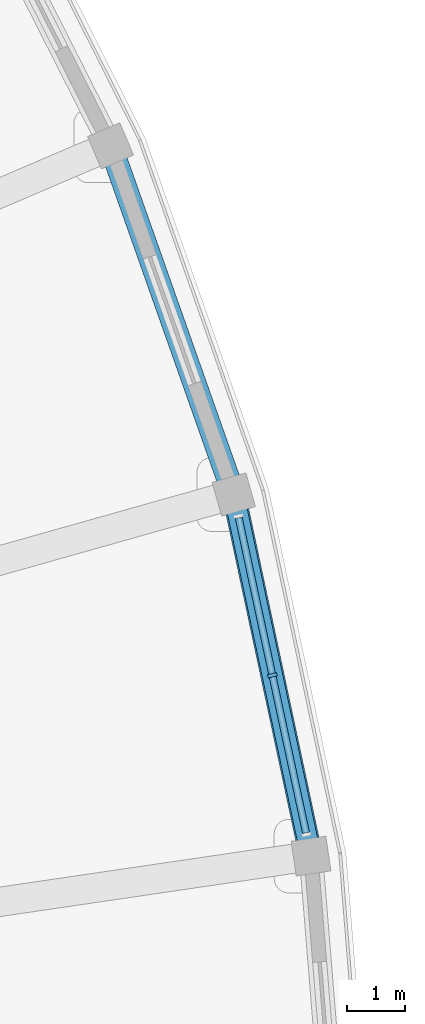
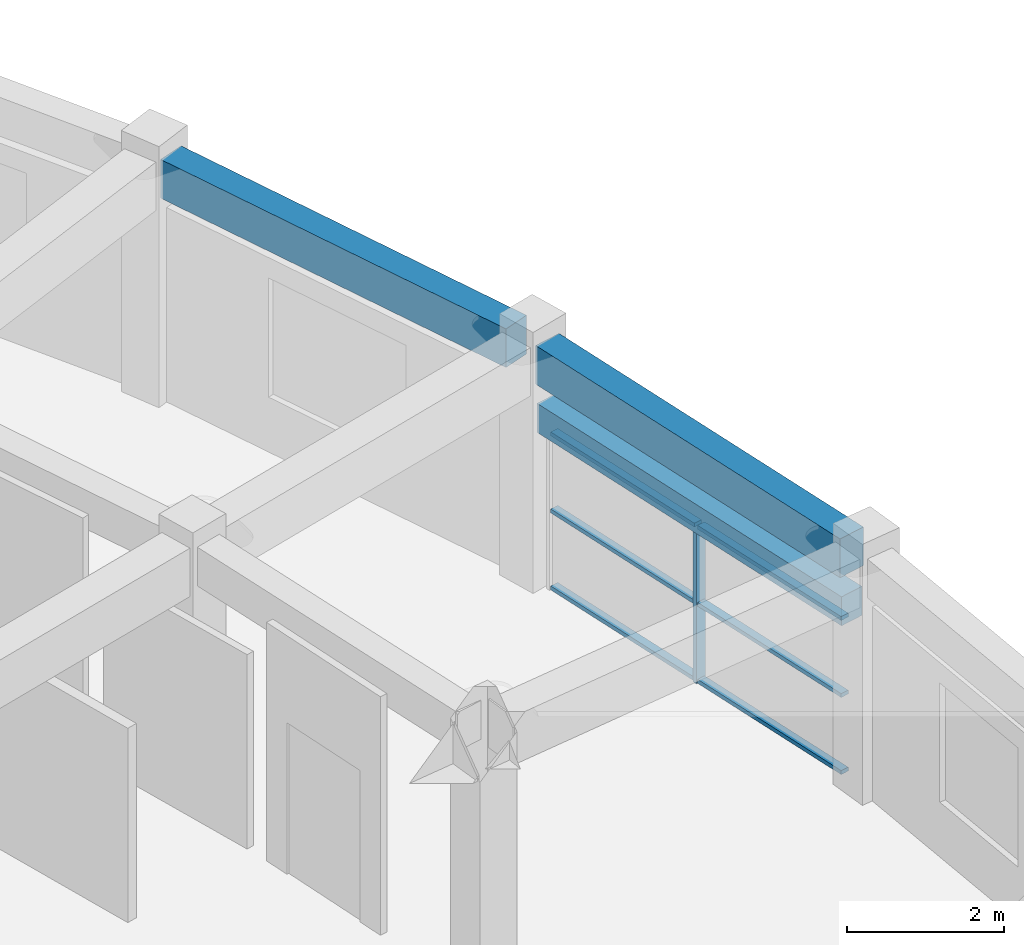
# One storey, part 35 of 83: 7 members, 3 beams, 1 element without a shape of its own.
"""IFC4 building model written with IfcOpenShell, lengths in metres."""

from ifc_helpers import new_model, si_unit, direction, frame, origin, origin_2d, place, context, subcontext, project, spatial, rectangle, extrude, material, material_profile, profile_set, type_object, element, aggregate, save


model = new_model("IFC4")

# Units and contexts
model_context = context("Model", 3, precision=1e-05, world=origin(), true_north=direction((0.0, 1.0)))
body_context = subcontext(model_context, "Body", "Model", "MODEL_VIEW")
ifc_project = project(units=[si_unit("LENGTHUNIT", "METRE"), si_unit("AREAUNIT", "SQUARE_METRE"), si_unit("VOLUMEUNIT", "CUBIC_METRE"), si_unit("PLANEANGLEUNIT", "RADIAN"), si_unit("MASSUNIT", "GRAM", prefix="KILO")], contexts=[model_context])

# Site, building, storey
site_placement = place(None, origin())
site = spatial("IfcSite", under=ifc_project, at=site_placement, CompositionType="ELEMENT")
building_placement = place(site_placement, origin())
building = spatial("IfcBuilding", under=site, at=building_placement, Name="Saryqyr Civic Hall", CompositionType="ELEMENT")
storey_placement = place(building_placement, frame((0.0, 0.0, 9.14990234375)))
storey = spatial("IfcBuildingStorey", under=building, at=storey_placement, Name="L02", CompositionType="ELEMENT", Elevation=9.14990234375)

# Curtain wall, members
ifc_material_1 = material(Name="Anodised aluminium and triple low-E glass", Category="aluminium")
curtain_wall_type = type_object("IfcCurtainWallType", Name="ENV-CW-STD-03", PredefinedType="NOTDEFINED", material=ifc_material_1)
curtain_wall_placement = place(storey_placement, origin())
curtain_wall = element("IfcCurtainWall", 1, at=curtain_wall_placement, inside=storey, type_object=curtain_wall_type, Name="Curtain wall V6-CWO-L02-01", PredefinedType="NOTDEFINED")
ifc_material_2 = material(Name="Anodised aluminium", Category="aluminium")
ifc_material_profile_1 = material_profile(ifc_material_2, rectangle(XDim=0.06005859375, YDim=0.159912109375, at=origin_2d()), Name="ALU MULLION 60x160")
ifc_profile_set_1 = profile_set([ifc_material_profile_1], Name="Anodised aluminium")
member_type_1 = type_object("IfcMemberType", Name="ENV-CW-MUL-180", PredefinedType="MULLION", material=ifc_profile_set_1)
member_1_placement = place(storey_placement, frame((104.819091796875, 94.21435546875, 0.0), z_axis=(0.0, 0.0, 1.0), x_axis=(0.208908324386, -0.97793522894, 0.0)))
member_1 = element("IfcMember", 2, at=member_1_placement, type_object=member_type_1, Name="CW-03 mullion 2", PredefinedType="MULLION", context=body_context, shape_type="SweptSolid", body=[
    extrude(rectangle(XDim=0.06005859375, YDim=0.159912109375, at=origin_2d()), origin(), (0.0, 0.0, 1.0), 2.4501953125),
])
ifc_material_profile_2 = material_profile(ifc_material_2, rectangle(XDim=0.1201171875, YDim=0.06005859375, at=origin_2d()), Name="ALU TRANSOM 120x60")
ifc_profile_set_2 = profile_set([ifc_material_profile_2], Name="Anodised aluminium")
member_type_2 = type_object("IfcMemberType", Name="ENV-CW-TRN-150", PredefinedType="USERDEFINED", material=ifc_profile_set_2)
member_2_placement = place(storey_placement, frame((104.2431640625, 96.91015625, 0.030029296875), z_axis=(0.208893103341, -0.977938480364, 0.0), x_axis=(0.977938480364, 0.208893103341, 0.0)))
member_2 = element("IfcMember", 3, at=member_2_placement, type_object=member_type_2, Name="CW-03 transom 1.1", ObjectType="TRANSOM", PredefinedType="USERDEFINED", context=body_context, shape_type="SweptSolid", body=[
    extrude(rectangle(XDim=0.1201171875, YDim=0.06005859375, at=origin_2d()), origin(), (0.0, 0.0, 1.0), 2.7265625),
])
member_3_placement = place(storey_placement, frame((104.2431640625, 96.91015625, 1.22509765625), z_axis=(0.208893103341, -0.977938480364, 0.0), x_axis=(0.977938480364, 0.208893103341, 0.0)))
member_3 = element("IfcMember", 4, at=member_3_placement, type_object=member_type_2, Name="CW-03 transom 1.2", ObjectType="TRANSOM", PredefinedType="USERDEFINED", context=body_context, shape_type="SweptSolid", body=[
    extrude(rectangle(XDim=0.1201171875, YDim=0.06005859375, at=origin_2d()), origin(), (0.0, 0.0, 1.0), 2.7265625),
])
member_4_placement = place(storey_placement, frame((104.2431640625, 96.91015625, 2.420166015625), z_axis=(0.208893103341, -0.977938480364, 0.0), x_axis=(0.977938480364, 0.208893103341, 0.0)))
member_4 = element("IfcMember", 5, at=member_4_placement, type_object=member_type_2, Name="CW-03 transom 1.3", ObjectType="TRANSOM", PredefinedType="USERDEFINED", context=body_context, shape_type="SweptSolid", body=[
    extrude(rectangle(XDim=0.1201171875, YDim=0.06005859375, at=origin_2d()), origin(), (0.0, 0.0, 1.0), 2.7265625),
])
member_5_placement = place(storey_placement, frame((104.8251953125, 94.18505859375, 0.030029296875), z_axis=(0.208893103341, -0.977938480364, 0.0), x_axis=(0.977938480364, 0.208893103341, 0.0)))
member_5 = element("IfcMember", 6, at=member_5_placement, type_object=member_type_2, Name="CW-03 transom 2.1", ObjectType="TRANSOM", PredefinedType="USERDEFINED", context=body_context, shape_type="SweptSolid", body=[
    extrude(rectangle(XDim=0.1201171875, YDim=0.06005859375, at=origin_2d()), origin(), (0.0, 0.0, 1.0), 2.7265625),
])
member_6_placement = place(storey_placement, frame((104.8251953125, 94.18505859375, 1.22509765625), z_axis=(0.208893103341, -0.977938480364, 0.0), x_axis=(0.977938480364, 0.208893103341, 0.0)))
member_6 = element("IfcMember", 7, at=member_6_placement, type_object=member_type_2, Name="CW-03 transom 2.2", ObjectType="TRANSOM", PredefinedType="USERDEFINED", context=body_context, shape_type="SweptSolid", body=[
    extrude(rectangle(XDim=0.1201171875, YDim=0.06005859375, at=origin_2d()), origin(), (0.0, 0.0, 1.0), 2.7265625),
])
member_7_placement = place(storey_placement, frame((104.8251953125, 94.18505859375, 2.420166015625), z_axis=(0.208893103341, -0.977938480364, 0.0), x_axis=(0.977938480364, 0.208893103341, 0.0)))
member_7 = element("IfcMember", 8, at=member_7_placement, type_object=member_type_2, Name="CW-03 transom 2.3", ObjectType="TRANSOM", PredefinedType="USERDEFINED", context=body_context, shape_type="SweptSolid", body=[
    extrude(rectangle(XDim=0.1201171875, YDim=0.06005859375, at=origin_2d()), origin(), (0.0, 0.0, 1.0), 2.7265625),
])
aggregate(curtain_wall, [member_1, member_2, member_3, member_4, member_5, member_6, member_7])

# Beams
ifc_material_3 = material(Name="Concrete C35/45", Category="concrete")
ifc_material_profile_3 = material_profile(ifc_material_3, rectangle(XDim=0.39990234375, YDim=0.60009765625, at=origin_2d()), Name="RC 400x600")
ifc_profile_set_3 = profile_set([ifc_material_profile_3], Name="Concrete C35/45")
beam_type_1 = type_object("IfcBeamType", Name="STR-BM-RC400x600-EXT", PredefinedType="BEAM", material=ifc_profile_set_3)
for number, where, z_axis, x_axis, name in (
    (9, (105.422607421875, 91.388916015625, 3.489990234375), (-0.208928885594, 0.977930836391, 0.0), (-0.977930836391, -0.208928885594, 0.0), "Beam V6-CBM-OUT01-L02"),
    (10, (104.06640625, 97.568115234375, 3.489990234375), (-0.333186956354, 0.942860780877, 0.0), (-0.942860780877, -0.333186956354, 0.0), "Beam V6-CBM-OUT02-L02"),
):
    element("IfcBeam", number, at=place(storey_placement, frame(where, z_axis=z_axis, x_axis=x_axis)), inside=storey, type_object=beam_type_1, Name=name, PredefinedType="BEAM", context=body_context, shape_type="SweptSolid", body=[
        extrude(rectangle(XDim=0.39990234375, YDim=0.60009765625, at=origin_2d()), origin(), (0.0, 0.0, 1.0), 5.7783203125),
    ])
ifc_material_4 = material(Name="Precast concrete C40/50", Category="concrete")
ifc_material_profile_4 = material_profile(ifc_material_4, rectangle(XDim=0.35009765625, YDim=0.449951171875, at=origin_2d()), Name="RC 350x450")
ifc_profile_set_4 = profile_set([ifc_material_profile_4], Name="Precast concrete C40/50")
beam_type_2 = type_object("IfcBeamType", Name="STR-LIN-RC350x450", PredefinedType="LINTEL", material=ifc_profile_set_4)
beam_placement = place(storey_placement, frame((105.422607421875, 91.388916015625, 2.655029296875), z_axis=(-0.208928885594, 0.977930836391, 0.0), x_axis=(-0.977930836391, -0.208928885594, 0.0)))
element("IfcBeam", 11, at=beam_placement, inside=storey, type_object=beam_type_2, Name="Beam V6-LIN-01-L02", PredefinedType="LINTEL", context=body_context, shape_type="SweptSolid", body=[
    extrude(rectangle(XDim=0.35009765625, YDim=0.449951171875, at=origin_2d()), origin(), (0.0, 0.0, 1.0), 5.7783203125),
])

save(model, "model.ifc")
